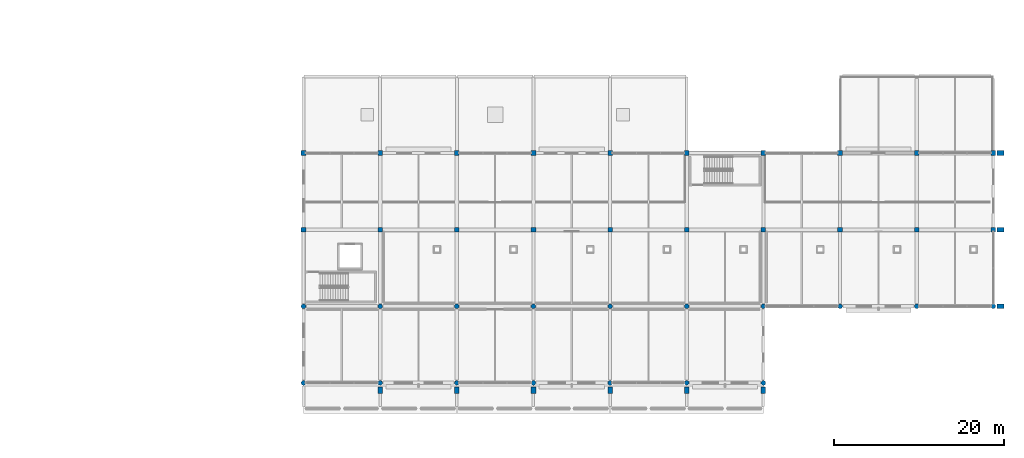
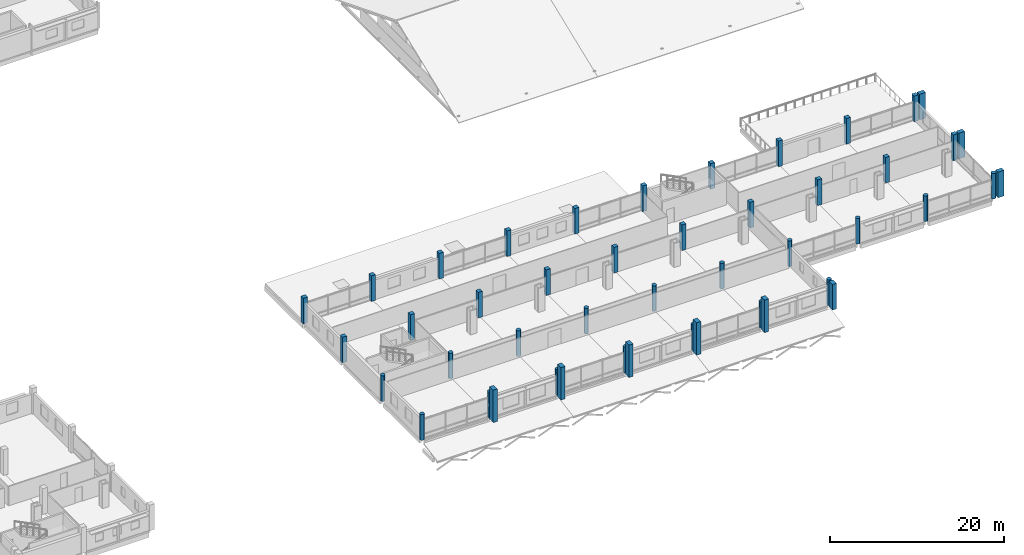
# One storey, part 17 of 132: 46 columns.
"""IFC4 building model written with IfcOpenShell, lengths in metres."""

from ifc_helpers import new_model, si_unit, direction, frame, origin, origin_2d, place, context, subcontext, project, spatial, rectangle, circle, extrude, material, material_profile, profile_set, type_object, element, save


model = new_model("IFC4")

# Units and contexts
model_context = context("Model", 3, precision=1e-05, world=origin(), true_north=direction((0.0, 1.0)))
body_context = subcontext(model_context, "Body", "Model", "MODEL_VIEW")
ifc_project = project(units=[si_unit("LENGTHUNIT", "METRE"), si_unit("AREAUNIT", "SQUARE_METRE"), si_unit("VOLUMEUNIT", "CUBIC_METRE"), si_unit("PLANEANGLEUNIT", "RADIAN"), si_unit("MASSUNIT", "GRAM", prefix="KILO")], contexts=[model_context])

# Site, building, storey
site_placement = place(None, origin())
site = spatial("IfcSite", under=ifc_project, at=site_placement, CompositionType="ELEMENT")
building_placement = place(site_placement, origin())
building = spatial("IfcBuilding", under=site, at=building_placement, Name="Tharagai Park Tramway Depot", CompositionType="ELEMENT")
storey_placement = place(building_placement, frame((0.0, 0.0, 4.800048828125)))
storey = spatial("IfcBuildingStorey", under=building, at=storey_placement, Name="L01", CompositionType="ELEMENT", Elevation=4.800048828125)

# Columns
ifc_material = material(Name="Concrete M40", Category="concrete")
ifc_material_profile_1 = material_profile(ifc_material, circle(Radius=0.27490234375, at=origin_2d()), Name="RC D550")
ifc_profile_set_1 = profile_set([ifc_material_profile_1], Name="Concrete M40")
column_type_1 = type_object("IfcColumnType", Name="CL-02", PredefinedType="COLUMN", material=ifc_profile_set_1)
for number, where, z_axis, x_axis, name in (
    (1, (135.0, 0.0, 0.0), (0.0, 0.0, 1.0), (1.0, 0.0, 0.0), "L01 Structural Column CL-02 (135,0)"),
    (2, (135.0, 9.0, 0.0), (0.0, 0.0, 1.0), (1.0, 0.0, 0.0), "L01 Structural Column CL-02 (135,9)"),
    (3, (144.0, 0.0, 0.0), (0.0, 0.0, 1.0), (1.0, 0.0, 0.0), "L01 Structural Column CL-02 (144,0)"),
    (4, (144.0, 9.0, 0.0), (0.0, 0.0, 1.0), (1.0, 0.0, 0.0), "L01 Structural Column CL-02 (144,9)"),
    (5, (153.0, 0.0, 0.0), (0.0, 0.0, 1.0), (1.0, 0.0, 0.0), "L01 Structural Column CL-02 (153,0)"),
    (6, (153.0, 9.0, 0.0), (0.0, 0.0, 1.0), (1.0, 0.0, 0.0), "L01 Structural Column CL-02 (153,9)"),
    (7, (162.0, 0.0, 0.0), (0.0, 0.0, 1.0), (1.0, 0.0, 0.0), "L01 Structural Column CL-02 (162,0)"),
    (8, (162.0, 9.0, 0.0), (0.0, 0.0, 1.0), (1.0, 0.0, 0.0), "L01 Structural Column CL-02 (162,9)"),
    (9, (171.0, 0.0, 0.0), (0.0, 0.0, 1.0), (1.0, 0.0, 0.0), "L01 Structural Column CL-02 (171,0)"),
    (10, (171.0, 9.0, 0.0), (0.0, 0.0, 1.0), (1.0, 0.0, 0.0), "L01 Structural Column CL-02 (171,9)"),
    (11, (180.0, 0.0, 0.0), (0.0, 0.0, 1.0), (1.0, 0.0, 0.0), "L01 Structural Column CL-02 (180,0)"),
    (12, (180.0, 9.0, 0.0), (0.0, 0.0, 1.0), (1.0, 0.0, 0.0), "L01 Structural Column CL-02 (180,9)"),
    (13, (189.0, 0.0, 0.0), (0.0, 0.0, 1.0), (1.0, 0.0, 0.0), "L01 Structural Column CL-02 (189,0)"),
    (14, (189.0, 9.0, 0.0), (0.0, 0.0, 1.0), (1.0, 0.0, 0.0), "L01 Structural Column CL-02 (189,9)"),
    (15, (198.0, 9.0, 0.0), (0.0, 0.0, 1.0), (1.0, 0.0, 0.0), "L01 Structural Column CL-02 (198,9)"),
    (16, (207.0, 9.0, 0.0), (0.0, 0.0, 1.0), (1.0, 0.0, 0.0), "L01 Structural Column CL-02 (207,9)"),
    (17, (216.0, 9.0, 0.0), (0.0, 0.0, 1.0), (1.0, 0.0, 0.0), "L01 Structural Column CL-02 (216,9)"),
):
    element("IfcColumn", number, at=place(storey_placement, frame(where, z_axis=z_axis, x_axis=x_axis)), inside=storey, type_object=column_type_1, Name=name, PredefinedType="COLUMN", context=body_context, shape_type="SweptSolid", body=[
        extrude(circle(Radius=0.27490234375, at=origin_2d()), origin(), (0.0, 0.0, 1.0), 3.599853515625),
    ])
ifc_material_profile_2 = material_profile(ifc_material, rectangle(XDim=0.550048828125, YDim=0.550048828125, at=origin_2d()), Name="RC 550x550")
ifc_profile_set_2 = profile_set([ifc_material_profile_2], Name="Concrete M40")
column_type_2 = type_object("IfcColumnType", Name="CL-07", PredefinedType="COLUMN", material=ifc_profile_set_2)
for number, where, z_axis, x_axis, name in (
    (18, (135.0, 18.0, 0.0), (0.0, 0.0, 1.0), (1.0, 0.0, 0.0), "L01 Structural Column CL-07 (135,18)"),
    (19, (135.0, 27.0, 0.0), (0.0, 0.0, 1.0), (1.0, 0.0, 0.0), "L01 Structural Column CL-07 (135,27)"),
    (20, (144.0, 18.0, 0.0), (0.0, 0.0, 1.0), (1.0, 0.0, 0.0), "L01 Structural Column CL-07 (144,18)"),
    (21, (144.0, 27.0, 0.0), (0.0, 0.0, 1.0), (1.0, 0.0, 0.0), "L01 Structural Column CL-07 (144,27)"),
    (22, (153.0, 18.0, 0.0), (0.0, 0.0, 1.0), (1.0, 0.0, 0.0), "L01 Structural Column CL-07 (153,18)"),
    (23, (153.0, 27.0, 0.0), (0.0, 0.0, 1.0), (1.0, 0.0, 0.0), "L01 Structural Column CL-07 (153,27)"),
    (24, (162.0, 18.0, 0.0), (0.0, 0.0, 1.0), (1.0, 0.0, 0.0), "L01 Structural Column CL-07 (162,18)"),
    (25, (162.0, 27.0, 0.0), (0.0, 0.0, 1.0), (1.0, 0.0, 0.0), "L01 Structural Column CL-07 (162,27)"),
    (26, (171.0, 18.0, 0.0), (0.0, 0.0, 1.0), (1.0, 0.0, 0.0), "L01 Structural Column CL-07 (171,18)"),
    (27, (171.0, 27.0, 0.0), (0.0, 0.0, 1.0), (1.0, 0.0, 0.0), "L01 Structural Column CL-07 (171,27)"),
    (28, (180.0, 18.0, 0.0), (0.0, 0.0, 1.0), (1.0, 0.0, 0.0), "L01 Structural Column CL-07 (180,18)"),
    (29, (180.0, 27.0, 0.0), (0.0, 0.0, 1.0), (1.0, 0.0, 0.0), "L01 Structural Column CL-07 (180,27)"),
    (30, (189.0, 18.0, 0.0), (0.0, 0.0, 1.0), (1.0, 0.0, 0.0), "L01 Structural Column CL-07 (189,18)"),
    (31, (189.0, 27.0, 0.0), (0.0, 0.0, 1.0), (1.0, 0.0, 0.0), "L01 Structural Column CL-07 (189,27)"),
    (32, (198.0, 18.0, 0.0), (0.0, 0.0, 1.0), (1.0, 0.0, 0.0), "L01 Structural Column CL-07 (198,18)"),
    (33, (198.0, 27.0, 0.0), (0.0, 0.0, 1.0), (1.0, 0.0, 0.0), "L01 Structural Column CL-07 (198,27)"),
    (34, (207.0, 18.0, 0.0), (0.0, 0.0, 1.0), (1.0, 0.0, 0.0), "L01 Structural Column CL-07 (207,18)"),
    (35, (207.0, 27.0, 0.0), (0.0, 0.0, 1.0), (1.0, 0.0, 0.0), "L01 Structural Column CL-07 (207,27)"),
    (36, (216.0, 18.0, 0.0), (0.0, 0.0, 1.0), (1.0, 0.0, 0.0), "L01 Structural Column CL-07 (216,18)"),
    (37, (216.0, 27.0, 0.0), (0.0, 0.0, 1.0), (1.0, 0.0, 0.0), "L01 Structural Column CL-07 (216,27)"),
):
    element("IfcColumn", number, at=place(storey_placement, frame(where, z_axis=z_axis, x_axis=x_axis)), inside=storey, type_object=column_type_2, Name=name, PredefinedType="COLUMN", context=body_context, shape_type="SweptSolid", body=[
        extrude(rectangle(XDim=0.550048828125, YDim=0.550048828125, at=origin_2d()), origin(), (0.0, 0.0, 1.0), 3.599853515625),
    ])
ifc_material_profile_3 = material_profile(ifc_material, rectangle(XDim=0.550048828125, YDim=0.800048828125, at=origin_2d()), Name="RC 550x800")
ifc_profile_set_3 = profile_set([ifc_material_profile_3], Name="Concrete M40")
column_type_3 = type_object("IfcColumnType", Name="PL-02", PredefinedType="PILASTER", material=ifc_profile_set_3)
for number, where, z_axis, x_axis, name in (
    (38, (144.0, -0.85009765625, 0.0), (0.0, 0.0, 1.0), (1.0, 0.0, 0.0), "L01 Stepped Gothic Buttress PL-02 S5-144"),
    (39, (153.0, -0.85009765625, 0.0), (0.0, 0.0, 1.0), (1.0, 0.0, 0.0), "L01 Stepped Gothic Buttress PL-02 S5-153"),
    (40, (162.0, -0.85009765625, 0.0), (0.0, 0.0, 1.0), (1.0, 0.0, 0.0), "L01 Stepped Gothic Buttress PL-02 S5-162"),
    (41, (171.0, -0.85009765625, 0.0), (0.0, 0.0, 1.0), (1.0, 0.0, 0.0), "L01 Stepped Gothic Buttress PL-02 S5-171"),
    (42, (180.0, -0.85009765625, 0.0), (0.0, 0.0, 1.0), (1.0, 0.0, 0.0), "L01 Stepped Gothic Buttress PL-02 S5-180"),
):
    element("IfcColumn", number, at=place(storey_placement, frame(where, z_axis=z_axis, x_axis=x_axis)), inside=storey, type_object=column_type_3, Name=name, PredefinedType="PILASTER", context=body_context, shape_type="SweptSolid", body=[
        extrude(rectangle(XDim=0.550048828125, YDim=0.800048828125, at=origin_2d()), origin(), (0.0, 0.0, 1.0), 4.550048828125),
    ])
for number, where, z_axis, x_axis, name in (
    (43, (189.0, -0.85009765625, 0.0), (0.0, 0.0, 1.0), (1.0, 0.0, 0.0), "L01 Stepped Gothic Buttress PL-02 S5-189"),
    (44, (216.85009765625, 9.0, 0.0), (0.0, 0.0, 1.0), (0.0, 1.0, 0.0), "L01 Stepped Gothic Buttress PL-02 E-009"),
    (45, (216.85009765625, 18.0, 0.0), (0.0, 0.0, 1.0), (0.0, 1.0, 0.0), "L01 Stepped Gothic Buttress PL-02 E-018"),
    (46, (216.85009765625, 27.0, 0.0), (0.0, 0.0, 1.0), (0.0, 1.0, 0.0), "L01 Stepped Gothic Buttress PL-02 E-027"),
):
    element("IfcColumn", number, at=place(storey_placement, frame(where, z_axis=z_axis, x_axis=x_axis)), inside=storey, type_object=column_type_3, Name=name, PredefinedType="PILASTER", context=body_context, shape_type="SweptSolid", body=[
        extrude(rectangle(XDim=0.550048828125, YDim=0.800048828125, at=origin_2d()), origin(), (0.0, 0.0, 1.0), 3.599853515625),
    ])

save(model, "model.ifc")
